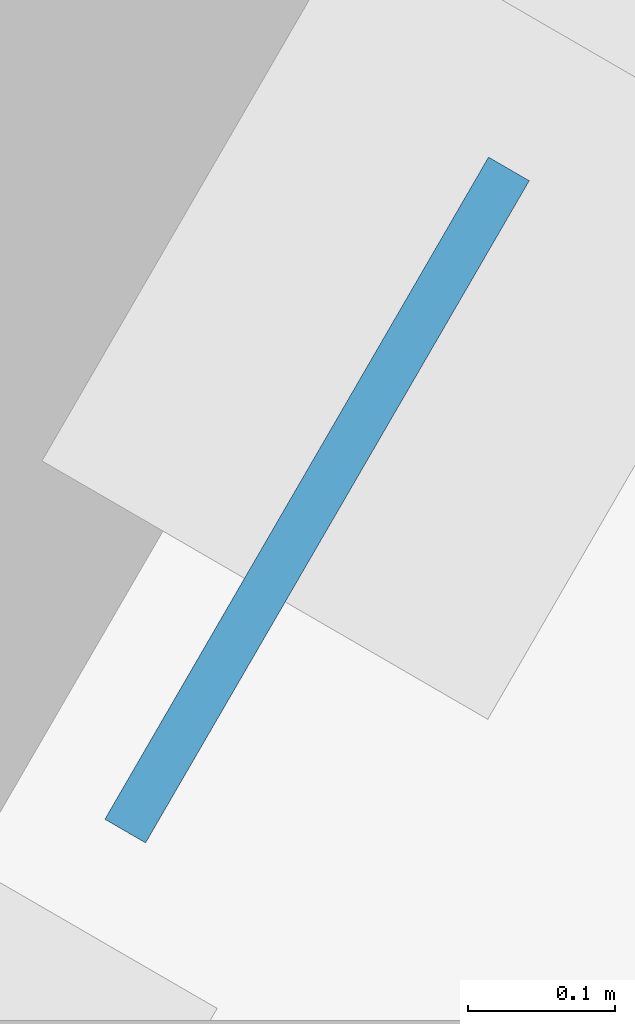
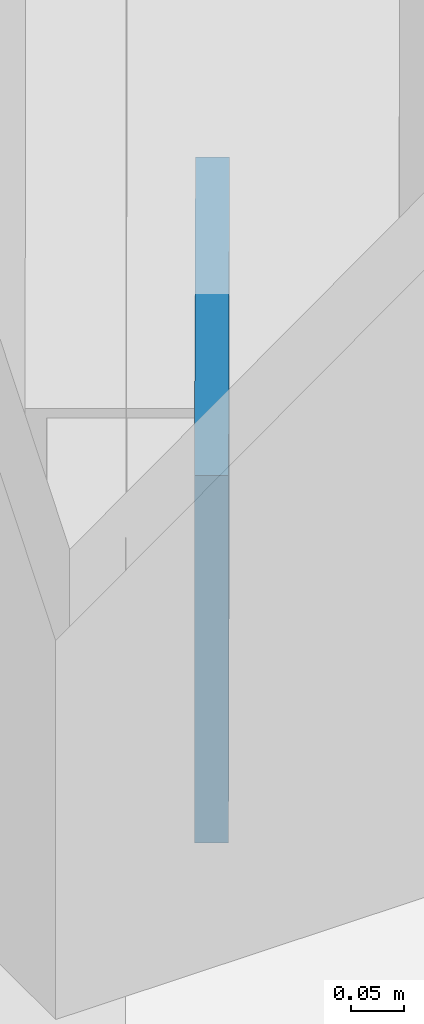
# One storey, part 6 of 14: 1 plate.
"""IFC4 building model written with IfcOpenShell, lengths in metres."""

from ifc_helpers import new_model, si_unit, direction, frame, origin, origin_2d, place, context, subcontext, project, spatial, rectangle, extrude, material, layer, layer_set, type_object, element, save


model = new_model("IFC4")

# Units and contexts
model_context = context("Model", 3, precision=1e-05, world=origin(), true_north=direction((0.0, 1.0)))
body_context = subcontext(model_context, "Body", "Model", "MODEL_VIEW")
ifc_project = project(units=[si_unit("LENGTHUNIT", "METRE"), si_unit("AREAUNIT", "SQUARE_METRE"), si_unit("VOLUMEUNIT", "CUBIC_METRE"), si_unit("PLANEANGLEUNIT", "RADIAN"), si_unit("MASSUNIT", "GRAM", prefix="KILO")], contexts=[model_context])

# Site, building, storey
site_placement = place(None, origin())
site = spatial("IfcSite", under=ifc_project, at=site_placement, CompositionType="ELEMENT")
building_placement = place(site_placement, origin())
building = spatial("IfcBuilding", under=site, at=building_placement, Name="Kavelnor Concourse Tower", CompositionType="ELEMENT")
storey_placement = place(building_placement, frame((0.0, 0.0, 52.199951171875)))
storey = spatial("IfcBuildingStorey", under=building, at=storey_placement, Name="L13", CompositionType="ELEMENT", Elevation=52.199951171875)

# Plate
ifc_material = material(Name="Steel Grade 350", Category="steel")
ifc_layer = layer(ifc_material, 0.031982421875, Name="Steel Grade 350")
ifc_layer_set = layer_set([ifc_layer], Name="Steel Grade 350")
plate_type = type_object("IfcPlateType", Name="PL-GUSSET-TUBE-Z1", PredefinedType="USERDEFINED", material=ifc_layer_set)
plate_placement = place(storey_placement, frame((22.05810546875, 29.086181640625, 0.010009765625), z_axis=(0.0, 0.0, 1.0), x_axis=(0.501359732114, 0.865238937528, 0.0)))
element("IfcPlate", 1, at=plate_placement, inside=storey, type_object=plate_type, Name="L13 Tube Brace Gusset GP3 F0-B2 End Gusset A", ObjectType="GUSSET_PLATE", PredefinedType="USERDEFINED", context=body_context, shape_type="SweptSolid", body=[
    extrude(rectangle(XDim=0.52001953125, YDim=0.031982421875, at=origin_2d()), origin(), (0.0, 0.0, 1.0), 0.419921875),
])

save(model, "model.ifc")
